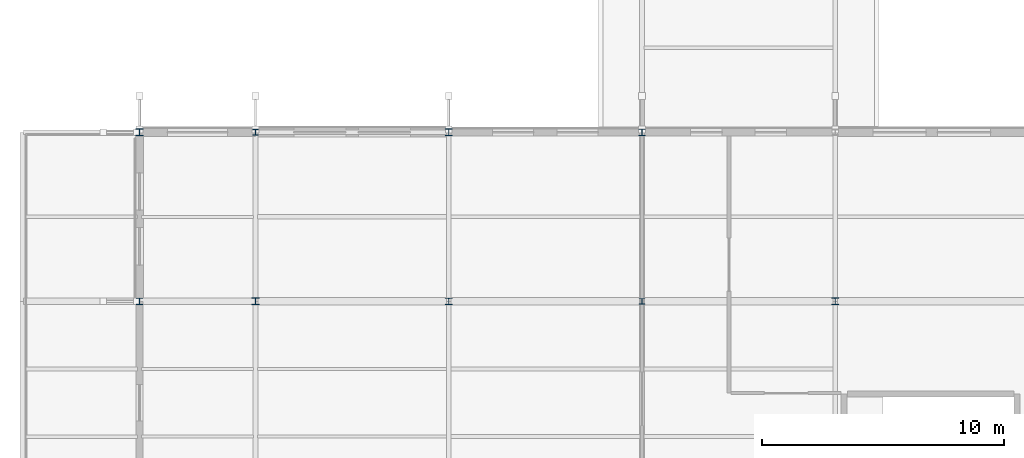
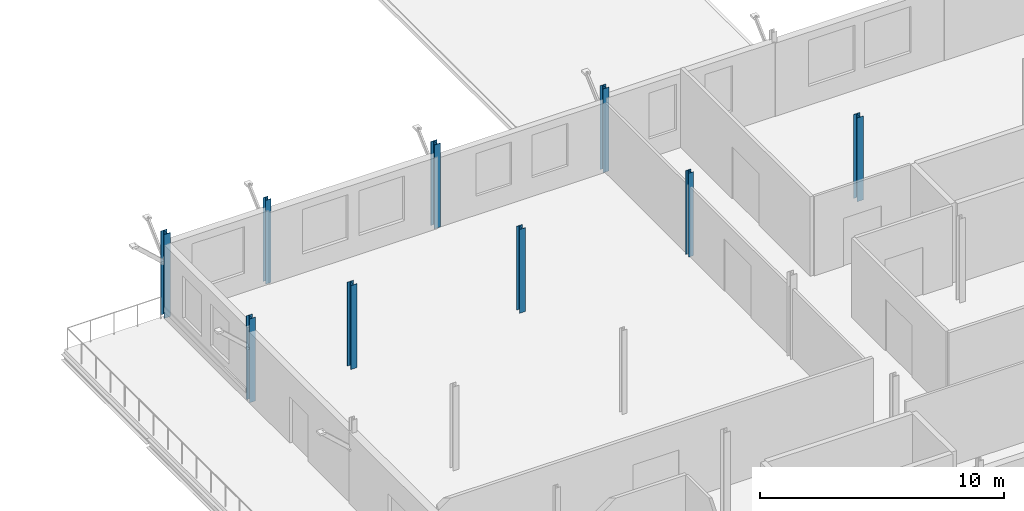
# One storey, part 4 of 93: 9 columns.
"""IFC4 building model written with IfcOpenShell, lengths in metres."""

from ifc_helpers import new_model, si_unit, direction, frame, origin, origin_2d, place, context, subcontext, project, spatial, i_section, extrude, material, material_profile, profile_set, type_object, element, save


model = new_model("IFC4")

# Units and contexts
model_context = context("Model", 3, precision=1e-05, world=origin(), true_north=direction((0.0, 1.0)))
body_context = subcontext(model_context, "Body", "Model", "MODEL_VIEW")
ifc_project = project(units=[si_unit("LENGTHUNIT", "METRE"), si_unit("AREAUNIT", "SQUARE_METRE"), si_unit("VOLUMEUNIT", "CUBIC_METRE"), si_unit("PLANEANGLEUNIT", "RADIAN"), si_unit("MASSUNIT", "GRAM", prefix="KILO")], contexts=[model_context])

# Site, building, storey
site_placement = place(None, origin())
site = spatial("IfcSite", under=ifc_project, at=site_placement, CompositionType="ELEMENT")
building_placement = place(site_placement, origin())
building = spatial("IfcBuilding", under=site, at=building_placement, Name="Vekula Escarpment Museum", CompositionType="ELEMENT")
storey_placement = place(building_placement, frame((0.0, 0.0, 22.199951171875)))
storey = spatial("IfcBuildingStorey", under=building, at=storey_placement, Name="L05", CompositionType="ELEMENT", Elevation=22.199951171875)

# Columns
ifc_material_1 = material(Name="Steel S355", Category="steel")
ifc_material_profile_1 = material_profile(ifc_material_1, i_section(OverallWidth=0.239990234375, OverallDepth=0.22998046875, WebThickness=0.007568359375, FlangeThickness=0.011962890625, FilletRadius=0.02099609375, at=origin_2d()), Name="HEA 240")
ifc_profile_set_1 = profile_set([ifc_material_profile_1], Name="Steel S355")
column_type_1 = type_object("IfcColumnType", Name="COL-S-HEA240", PredefinedType="COLUMN", material=ifc_profile_set_1)
for number, where, z_axis, x_axis, name in (
    (1, (24.0, 83.39990234375, 0.0), (0.0, 0.0, 1.0), (1.0, 0.0, 0.0), "Column L05 (24.0,83.4)"),
    (2, (40.0, 76.39990234375, 0.0), (0.0, 0.0, 1.0), (1.0, 0.0, 0.0), "Column L05 (40.0,76.4)"),
):
    element("IfcColumn", number, at=place(storey_placement, frame(where, z_axis=z_axis, x_axis=x_axis)), inside=storey, type_object=column_type_1, Name=name, PredefinedType="COLUMN", context=body_context, shape_type="SweptSolid", body=[
        extrude(i_section(OverallWidth=0.239990234375, OverallDepth=0.22998046875, WebThickness=0.007568359375, FlangeThickness=0.011962890625, FilletRadius=0.02099609375, at=origin_2d()), origin(), (0.0, 0.0, 1.0), 4.199951171875),
    ])
ifc_material_2 = material(Name="Steel S355", Category="steel")
ifc_material_profile_2 = material_profile(ifc_material_2, i_section(OverallWidth=0.280029296875, OverallDepth=0.27001953125, WebThickness=0.008056640625, FlangeThickness=0.012939453125, FilletRadius=0.02392578125, at=origin_2d()), Name="HEA 280")
ifc_profile_set_2 = profile_set([ifc_material_profile_2], Name="Steel S355")
column_type_2 = type_object("IfcColumnType", Name="COL-S-HEA280", PredefinedType="COLUMN", material=ifc_profile_set_2)
for number, where, z_axis, x_axis, name in (
    (3, (19.199951171875, 76.39990234375, 0.0), (0.0, 0.0, 1.0), (1.0, 0.0, 0.0), "Column L05 (19.2,76.4)"),
    (4, (32.0, 76.39990234375, 0.0), (0.0, 0.0, 1.0), (1.0, 0.0, 0.0), "Column L05 (32.0,76.4)"),
    (5, (40.0, 83.39990234375, 0.0), (0.0, 0.0, 1.0), (1.0, 0.0, 0.0), "Column L05 (40.0,83.4)"),
):
    element("IfcColumn", number, at=place(storey_placement, frame(where, z_axis=z_axis, x_axis=x_axis)), inside=storey, type_object=column_type_2, Name=name, PredefinedType="COLUMN", context=body_context, shape_type="SweptSolid", body=[
        extrude(i_section(OverallWidth=0.280029296875, OverallDepth=0.27001953125, WebThickness=0.008056640625, FlangeThickness=0.012939453125, FilletRadius=0.02392578125, at=origin_2d()), origin(), (0.0, 0.0, 1.0), 4.199951171875),
    ])
ifc_material_3 = material(Name="Steel S355", Category="steel")
ifc_material_profile_3 = material_profile(ifc_material_3, i_section(OverallWidth=0.300048828125, OverallDepth=0.300048828125, WebThickness=0.010986328125, FlangeThickness=0.01904296875, FilletRadius=0.027099609375, at=origin_2d()), Name="HEB 300")
ifc_profile_set_3 = profile_set([ifc_material_profile_3], Name="Steel S355")
column_type_3 = type_object("IfcColumnType", Name="COL-S-HEB300", PredefinedType="COLUMN", material=ifc_profile_set_3)
for number, where, z_axis, x_axis, name in (
    (6, (19.199951171875, 83.39990234375, 0.0), (0.0, 0.0, 1.0), (1.0, 0.0, 0.0), "Column L05 (19.2,83.4)"),
    (7, (24.0, 76.39990234375, 0.0), (0.0, 0.0, 1.0), (1.0, 0.0, 0.0), "Column L05 (24.0,76.4)"),
    (8, (32.0, 83.39990234375, 0.0), (0.0, 0.0, 1.0), (1.0, 0.0, 0.0), "Column L05 (32.0,83.4)"),
    (9, (48.0, 76.39990234375, 0.0), (0.0, 0.0, 1.0), (1.0, 0.0, 0.0), "Column L05 (48.0,76.4)"),
):
    element("IfcColumn", number, at=place(storey_placement, frame(where, z_axis=z_axis, x_axis=x_axis)), inside=storey, type_object=column_type_3, Name=name, PredefinedType="COLUMN", context=body_context, shape_type="SweptSolid", body=[
        extrude(i_section(OverallWidth=0.300048828125, OverallDepth=0.300048828125, WebThickness=0.010986328125, FlangeThickness=0.01904296875, FilletRadius=0.027099609375, at=origin_2d()), origin(), (0.0, 0.0, 1.0), 4.199951171875),
    ])

save(model, "model.ifc")
